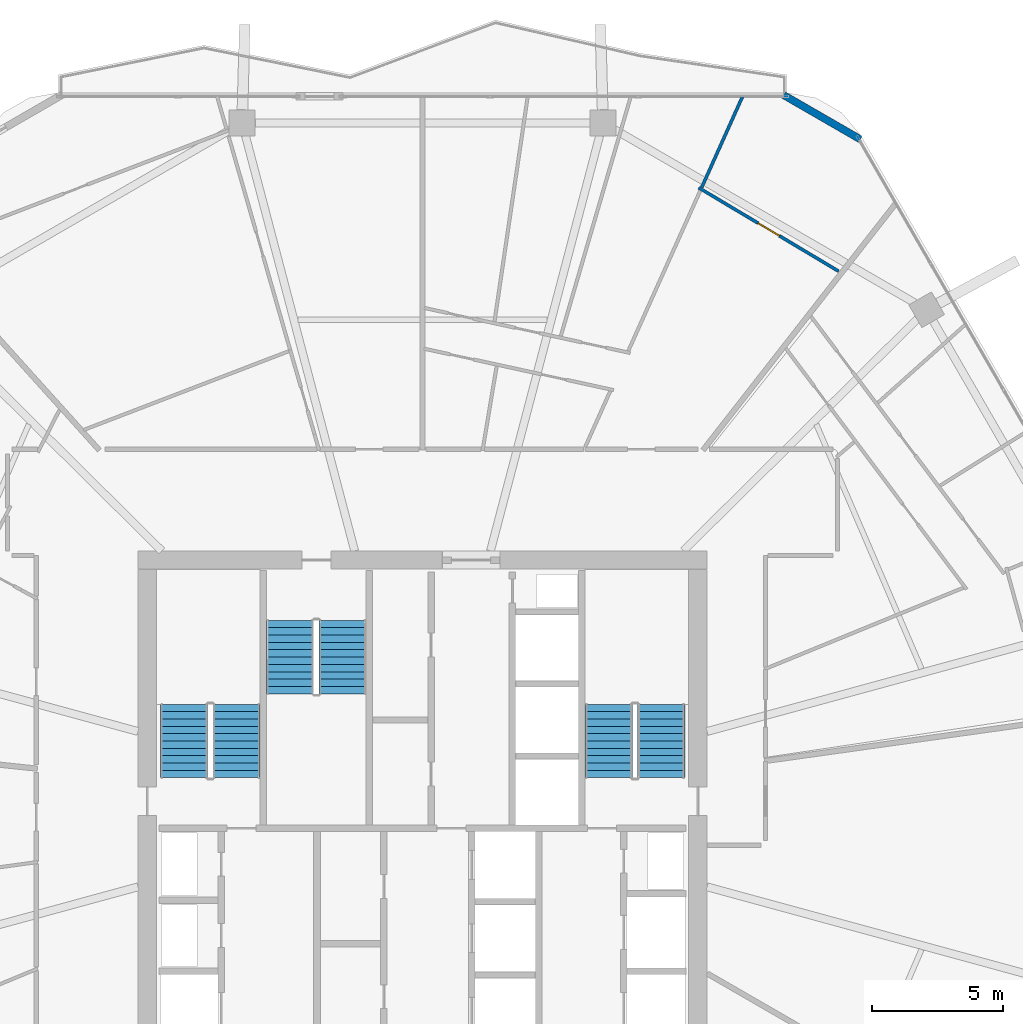
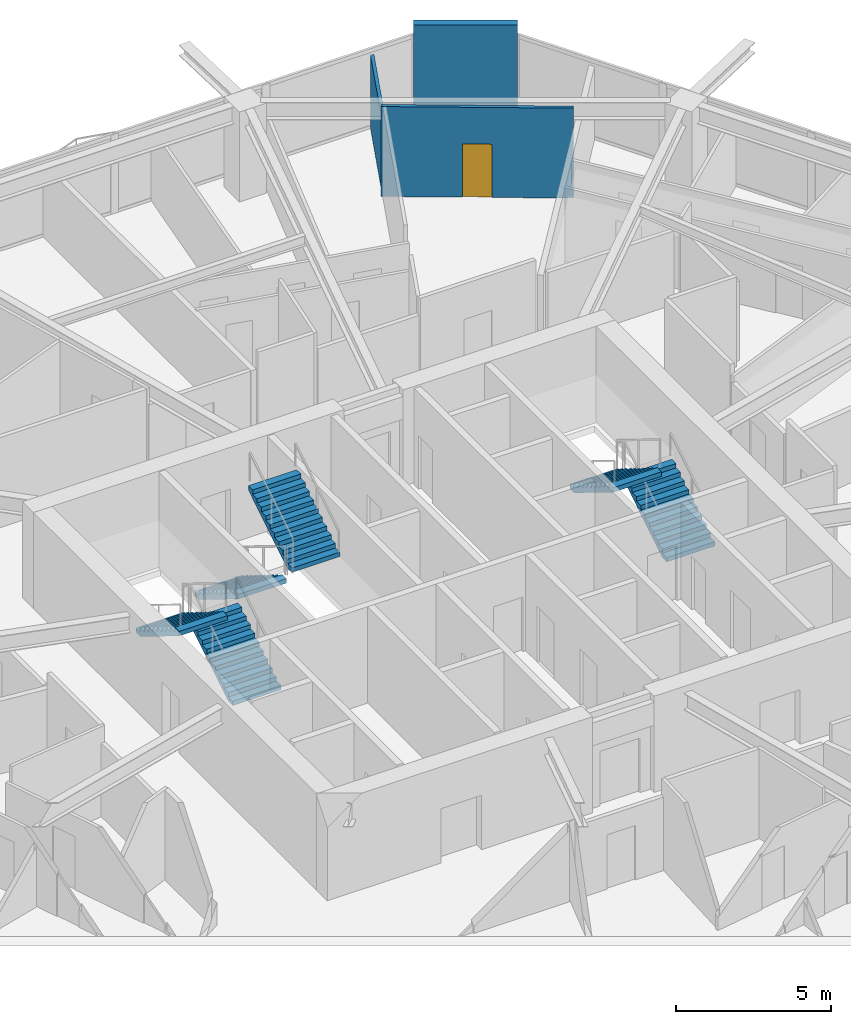
# One storey, part 22 of 25: 6 stair flights, 3 walls, 1 door, 1 opening, 3 elements without a shape of their own.
"""IFC4 building model written with IfcOpenShell, lengths in metres."""

from ifc_helpers import new_model, si_unit, direction, frame, frame_2d, origin, place, context, subcontext, project, spatial, polyline, rectangle, outline, extrude, material, layer, layer_set, type_object, element, fill, aggregate, save


model = new_model("IFC4")

# Units and contexts
model_context = context("Model", 3, precision=1e-05, world=origin(), true_north=direction((0.0, 1.0)))
body_context = subcontext(model_context, "Body", "Model", "MODEL_VIEW")
ifc_project = project(units=[si_unit("LENGTHUNIT", "METRE"), si_unit("AREAUNIT", "SQUARE_METRE"), si_unit("VOLUMEUNIT", "CUBIC_METRE"), si_unit("PLANEANGLEUNIT", "RADIAN"), si_unit("MASSUNIT", "GRAM", prefix="KILO")], contexts=[model_context])

# Site, building, storey
site_placement = place(None, origin())
site = spatial("IfcSite", under=ifc_project, at=site_placement, CompositionType="ELEMENT")
building_placement = place(site_placement, origin())
building = spatial("IfcBuilding", under=site, at=building_placement, Name="Zuhravey Tower", CompositionType="ELEMENT")
storey_placement = place(building_placement, frame((0.0, 0.0, 150.39990234375)))
storey = spatial("IfcBuildingStorey", under=building, at=storey_placement, Name="L37", CompositionType="ELEMENT", Elevation=150.39990234375)

# Wall
ifc_material_1 = material(Name="Precast concrete C40/50", Category="concrete")
ifc_layer_1 = layer(ifc_material_1, 0.280029296875)
ifc_layer_set_1 = layer_set([ifc_layer_1], Name="Precast concrete C40/50")
wall_type_1 = type_object("IfcWallType", Name="Crown Architectural Wall 280", PredefinedType="SOLIDWALL", material=ifc_layer_set_1)
wall_1_placement = place(storey_placement, frame((49.77880859375, 59.230712890625, 0.0), z_axis=(0.0, 0.0, 1.0), x_axis=(0.866020068361, -0.500009241111, 0.0)))
element("IfcWall", 1, at=wall_1_placement, inside=storey, type_object=wall_type_1, Name="L37 Rounded Corner Closure Wall EW28-10", PredefinedType="SOLIDWALL", context=body_context, shape_type="SweptSolid", body=[
    extrude(rectangle(XDim=3.365234375, YDim=0.280029296875, at=frame_2d((1.6826171875, 0.0))), origin(), (0.0, 0.0, 1.0), 3.550048828125),
])

# Wall, opening, door
ifc_material_2 = material(Name="Gypsum metal-stud partition")
ifc_layer_2 = layer(ifc_material_2, 0.1201171875)
ifc_layer_set_2 = layer_set([ifc_layer_2], Name="Gypsum metal-stud partition")
wall_type_2 = type_object("IfcWallType", Name="Unit Internal Partition 120", PredefinedType="PARTITIONING", material=ifc_layer_set_2)
wall_2_placement = place(storey_placement, frame((51.8681640625, 52.515625, 0.0), z_axis=(0.0, 0.0, 1.0), x_axis=(-0.85861051464, 0.512628505012, 0.0)))
wall_2 = element("IfcWall", 2, at=wall_2_placement, inside=storey, type_object=wall_type_2, Name="L37 IW12 Partition 024", PredefinedType="PARTITIONING", context=body_context, shape_type="SweptSolid", body=[
    extrude(rectangle(XDim=6.214599609375, YDim=0.1201171875, at=frame_2d((3.107421875, 0.0))), origin(), (0.0, 0.0, 1.0), 3.550048828125),
])
opening_placement = place(wall_2_placement, frame((2.63232421875, 0.0, 0.0)))
opening = element("IfcOpeningElement", 3, at=opening_placement, cuts=wall_2, Name="Opening IND1", PredefinedType="OPENING", context=body_context, shape_type="SweptSolid", body=[
    extrude(rectangle(XDim=0.949951171875, YDim=2.10009765625, at=frame_2d((0.47509765625, 1.050048828125))), frame((0.0, 0.072021484375, 0.0), z_axis=(0.0, -1.0, 0.0), x_axis=(1.0, 0.0, 0.0)), (0.0, 0.0, 1.0), 0.14404296875),
])
ifc_material_3 = material(Name="Painted engineered timber leaf", Category="wood")
door_type = type_object("IfcDoorType", Name="Internal Room & Bedroom Door 950x2100", OperationType="NOTDEFINED", PredefinedType="DOOR", material=ifc_material_3)
door_placement = place(opening_placement, frame((0.949951171875, 0.0, 0.0), z_axis=(0.0, 0.0, 1.0), x_axis=(-1.0, 0.0, 0.0)))
door = element("IfcDoor", 4, at=door_placement, inside=storey, type_object=door_type, Name="Apartment L37-02 Family Study Door", OperationType="SINGLE_SWING_RIGHT", OverallHeight=2.10009765625, OverallWidth=0.949951171875, PredefinedType="DOOR", context=body_context, shape_type="SweptSolid", body=[
    extrude(rectangle(XDim=0.949951171875, YDim=2.10009765625, at=frame_2d((0.47509765625, 1.050048828125))), frame((0.0, 0.02490234375, 0.0), z_axis=(0.0, -1.0, 0.0), x_axis=(1.0, 0.0, 0.0)), (0.0, 0.0, 1.0), 0.050048828125),
])
fill(opening, door)

# Wall
wall_3_placement = place(storey_placement, frame((46.646728515625, 55.71240234375, 0.0), z_axis=(0.0, 0.0, 1.0), x_axis=(0.409634994126, 0.912249511695, 0.0)))
element("IfcWall", 5, at=wall_3_placement, inside=storey, type_object=wall_type_2, Name="L37 IW12 Partition 074", PredefinedType="PARTITIONING", context=body_context, shape_type="SweptSolid", body=[
    extrude(rectangle(XDim=3.8125, YDim=0.1201171875, at=frame_2d((1.90625, 0.0))), origin(), (0.0, 0.0, 1.0), 2.8701171875),
])

# Stair, stair flights
ifc_material_4 = material(Name="Concrete C40/50", Category="concrete")
stair_type = type_object("IfcStairType", Name="Housing Storey Stair Assembly 3800", PredefinedType="HALF_TURN_STAIR", material=ifc_material_4)
stair_1_placement = place(storey_placement, origin())
stair_1 = element("IfcStair", 6, at=stair_1_placement, inside=storey, type_object=stair_type, Name="L37 Core Exit Stair ST1", PredefinedType="HALF_TURN_STAIR")
stair_flight_type = type_object("IfcStairFlightType", Name="Housing Storey Stair Flight 3800", PredefinedType="STRAIGHT", material=ifc_material_4)
stair_flight_1_placement = place(storey_placement, frame((28.89990234375, 33.199951171875, 0.0), z_axis=(0.0, 0.0, 1.0), x_axis=(0.0, 1.0, 0.0)))
stair_flight_1 = element("IfcStairFlight", 7, at=stair_flight_1_placement, type_object=stair_flight_type, Name="ST1 flight 1", NumberOfRisers=11, NumberOfTreads=10, PredefinedType="STRAIGHT", RiserHeight=0.172727273, TreadLength=0.28, context=body_context, shape_type="SweptSolid", body=[
    extrude(outline(polyline([(0.0, 0.0), (0.0, 0.172607421875), (0.280029296875, 0.172607421875), (0.280029296875, 0.345458984375), (0.56005859375, 0.345458984375), (0.56005859375, 0.51806640625), (0.840087890625, 0.51806640625), (0.840087890625, 0.69091796875), (1.1201171875, 0.69091796875), (1.1201171875, 0.863525390625), (1.39990234375, 0.863525390625), (1.39990234375, 1.036376953125), (1.679931640625, 1.036376953125), (1.679931640625, 1.208984375), (1.9599609375, 1.208984375), (1.9599609375, 1.3818359375), (2.239990234375, 1.3818359375), (2.239990234375, 1.554443359375), (2.52001953125, 1.554443359375), (2.52001953125, 1.727294921875), (2.800048828125, 1.727294921875), (2.800048828125, 1.89990234375), (2.800048828125, 1.551025390625), (0.285400390625, 0.0), (0.0, 0.0)])), frame((0.0, 0.89990234375, 0.0), z_axis=(0.0, -1.0, 0.0), x_axis=(1.0, 0.0, 0.0)), (0.0, 0.0, 1.0), 1.800048828125),
])
stair_flight_2_placement = place(storey_placement, frame((26.89990234375, 36.0, 1.900146484375), z_axis=(0.0, 0.0, 1.0), x_axis=(0.0, -1.0, 0.0)))
stair_flight_2 = element("IfcStairFlight", 8, at=stair_flight_2_placement, type_object=stair_flight_type, Name="ST1 flight 2", NumberOfRisers=11, NumberOfTreads=10, PredefinedType="STRAIGHT", RiserHeight=0.172727273, TreadLength=0.28, context=body_context, shape_type="SweptSolid", body=[
    extrude(outline(polyline([(0.0, 0.0), (0.0, 0.172607421875), (0.280029296875, 0.172607421875), (0.280029296875, 0.345458984375), (0.56005859375, 0.345458984375), (0.56005859375, 0.51806640625), (0.840087890625, 0.51806640625), (0.840087890625, 0.69091796875), (1.1201171875, 0.69091796875), (1.1201171875, 0.863525390625), (1.39990234375, 0.863525390625), (1.39990234375, 1.036376953125), (1.679931640625, 1.036376953125), (1.679931640625, 1.208984375), (1.9599609375, 1.208984375), (1.9599609375, 1.3818359375), (2.239990234375, 1.3818359375), (2.239990234375, 1.554443359375), (2.52001953125, 1.554443359375), (2.52001953125, 1.727294921875), (2.800048828125, 1.727294921875), (2.800048828125, 1.89990234375), (2.800048828125, 1.551025390625), (0.285400390625, 0.0), (0.0, 0.0)])), frame((0.0, 0.89990234375, 0.0), z_axis=(0.0, -1.0, 0.0), x_axis=(1.0, 0.0, 0.0)), (0.0, 0.0, 1.0), 1.800048828125),
])
aggregate(stair_1, [stair_flight_1, stair_flight_2])

stair_2_placement = place(storey_placement, origin())
stair_2 = element("IfcStair", 9, at=stair_2_placement, inside=storey, type_object=stair_type, Name="L37 Core Exit Stair ST2", PredefinedType="HALF_TURN_STAIR")
stair_flight_3_placement = place(storey_placement, frame((45.10009765625, 33.199951171875, 0.0), z_axis=(0.0, 0.0, 1.0), x_axis=(0.0, 1.0, 0.0)))
stair_flight_3 = element("IfcStairFlight", 10, at=stair_flight_3_placement, type_object=stair_flight_type, Name="ST2 flight 1", NumberOfRisers=11, NumberOfTreads=10, PredefinedType="STRAIGHT", RiserHeight=0.172727273, TreadLength=0.28, context=body_context, shape_type="SweptSolid", body=[
    extrude(outline(polyline([(0.0, 0.0), (0.0, 0.172607421875), (0.280029296875, 0.172607421875), (0.280029296875, 0.345458984375), (0.56005859375, 0.345458984375), (0.56005859375, 0.51806640625), (0.840087890625, 0.51806640625), (0.840087890625, 0.69091796875), (1.1201171875, 0.69091796875), (1.1201171875, 0.863525390625), (1.39990234375, 0.863525390625), (1.39990234375, 1.036376953125), (1.679931640625, 1.036376953125), (1.679931640625, 1.208984375), (1.9599609375, 1.208984375), (1.9599609375, 1.3818359375), (2.239990234375, 1.3818359375), (2.239990234375, 1.554443359375), (2.52001953125, 1.554443359375), (2.52001953125, 1.727294921875), (2.800048828125, 1.727294921875), (2.800048828125, 1.89990234375), (2.800048828125, 1.551025390625), (0.285400390625, 0.0), (0.0, 0.0)])), frame((0.0, 0.89990234375, 0.0), z_axis=(0.0, -1.0, 0.0), x_axis=(1.0, 0.0, 0.0)), (0.0, 0.0, 1.0), 1.800048828125),
])
stair_flight_4_placement = place(storey_placement, frame((43.10009765625, 36.0, 1.900146484375), z_axis=(0.0, 0.0, 1.0), x_axis=(0.0, -1.0, 0.0)))
stair_flight_4 = element("IfcStairFlight", 11, at=stair_flight_4_placement, type_object=stair_flight_type, Name="ST2 flight 2", NumberOfRisers=11, NumberOfTreads=10, PredefinedType="STRAIGHT", RiserHeight=0.172727273, TreadLength=0.28, context=body_context, shape_type="SweptSolid", body=[
    extrude(outline(polyline([(0.0, 0.0), (0.0, 0.172607421875), (0.280029296875, 0.172607421875), (0.280029296875, 0.345458984375), (0.56005859375, 0.345458984375), (0.56005859375, 0.51806640625), (0.840087890625, 0.51806640625), (0.840087890625, 0.69091796875), (1.1201171875, 0.69091796875), (1.1201171875, 0.863525390625), (1.39990234375, 0.863525390625), (1.39990234375, 1.036376953125), (1.679931640625, 1.036376953125), (1.679931640625, 1.208984375), (1.9599609375, 1.208984375), (1.9599609375, 1.3818359375), (2.239990234375, 1.3818359375), (2.239990234375, 1.554443359375), (2.52001953125, 1.554443359375), (2.52001953125, 1.727294921875), (2.800048828125, 1.727294921875), (2.800048828125, 1.89990234375), (2.800048828125, 1.551025390625), (0.285400390625, 0.0), (0.0, 0.0)])), frame((0.0, 0.89990234375, 0.0), z_axis=(0.0, -1.0, 0.0), x_axis=(1.0, 0.0, 0.0)), (0.0, 0.0, 1.0), 1.800048828125),
])
aggregate(stair_2, [stair_flight_3, stair_flight_4])

stair_3_placement = place(storey_placement, origin())
stair_3 = element("IfcStair", 12, at=stair_3_placement, inside=storey, type_object=stair_type, Name="L37 Core Exit Stair ST3", PredefinedType="HALF_TURN_STAIR")
stair_flight_5_placement = place(storey_placement, frame((30.949951171875, 39.199951171875, 0.0), z_axis=(0.0, 0.0, 1.0), x_axis=(0.0, -1.0, 0.0)))
stair_flight_5 = element("IfcStairFlight", 13, at=stair_flight_5_placement, type_object=stair_flight_type, Name="ST3 flight 1", NumberOfRisers=11, NumberOfTreads=10, PredefinedType="STRAIGHT", RiserHeight=0.172727273, TreadLength=0.28, context=body_context, shape_type="SweptSolid", body=[
    extrude(outline(polyline([(0.0, 0.0), (0.0, 0.172607421875), (0.280029296875, 0.172607421875), (0.280029296875, 0.345458984375), (0.56005859375, 0.345458984375), (0.56005859375, 0.51806640625), (0.840087890625, 0.51806640625), (0.840087890625, 0.69091796875), (1.1201171875, 0.69091796875), (1.1201171875, 0.863525390625), (1.39990234375, 0.863525390625), (1.39990234375, 1.036376953125), (1.679931640625, 1.036376953125), (1.679931640625, 1.208984375), (1.9599609375, 1.208984375), (1.9599609375, 1.3818359375), (2.239990234375, 1.3818359375), (2.239990234375, 1.554443359375), (2.52001953125, 1.554443359375), (2.52001953125, 1.727294921875), (2.800048828125, 1.727294921875), (2.800048828125, 1.89990234375), (2.800048828125, 1.551025390625), (0.285400390625, 0.0), (0.0, 0.0)])), frame((0.0, 0.89990234375, 0.0), z_axis=(0.0, -1.0, 0.0), x_axis=(1.0, 0.0, 0.0)), (0.0, 0.0, 1.0), 1.800048828125),
])
stair_flight_6_placement = place(storey_placement, frame((32.949951171875, 36.39990234375, 1.900146484375), z_axis=(0.0, 0.0, 1.0), x_axis=(0.0, 1.0, 0.0)))
stair_flight_6 = element("IfcStairFlight", 14, at=stair_flight_6_placement, type_object=stair_flight_type, Name="ST3 flight 2", NumberOfRisers=11, NumberOfTreads=10, PredefinedType="STRAIGHT", RiserHeight=0.172727273, TreadLength=0.28, context=body_context, shape_type="SweptSolid", body=[
    extrude(outline(polyline([(0.0, 0.0), (0.0, 0.172607421875), (0.280029296875, 0.172607421875), (0.280029296875, 0.345458984375), (0.56005859375, 0.345458984375), (0.56005859375, 0.51806640625), (0.840087890625, 0.51806640625), (0.840087890625, 0.69091796875), (1.1201171875, 0.69091796875), (1.1201171875, 0.863525390625), (1.39990234375, 0.863525390625), (1.39990234375, 1.036376953125), (1.679931640625, 1.036376953125), (1.679931640625, 1.208984375), (1.9599609375, 1.208984375), (1.9599609375, 1.3818359375), (2.239990234375, 1.3818359375), (2.239990234375, 1.554443359375), (2.52001953125, 1.554443359375), (2.52001953125, 1.727294921875), (2.800048828125, 1.727294921875), (2.800048828125, 1.89990234375), (2.800048828125, 1.551025390625), (0.285400390625, 0.0), (0.0, 0.0)])), frame((0.0, 0.89990234375, 0.0), z_axis=(0.0, -1.0, 0.0), x_axis=(1.0, 0.0, 0.0)), (0.0, 0.0, 1.0), 1.800048828125),
])
aggregate(stair_3, [stair_flight_5, stair_flight_6])

save(model, "model.ifc")
